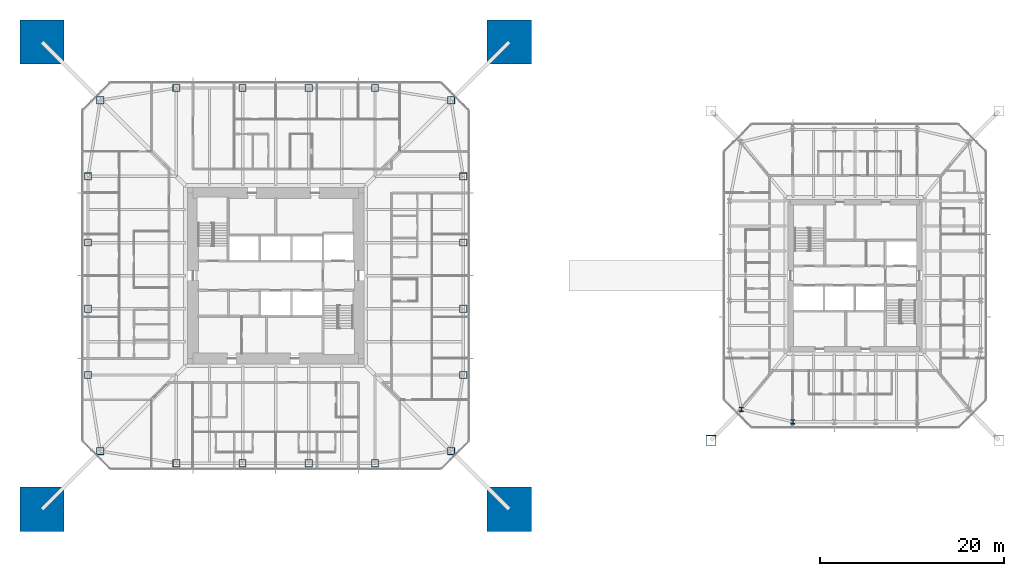
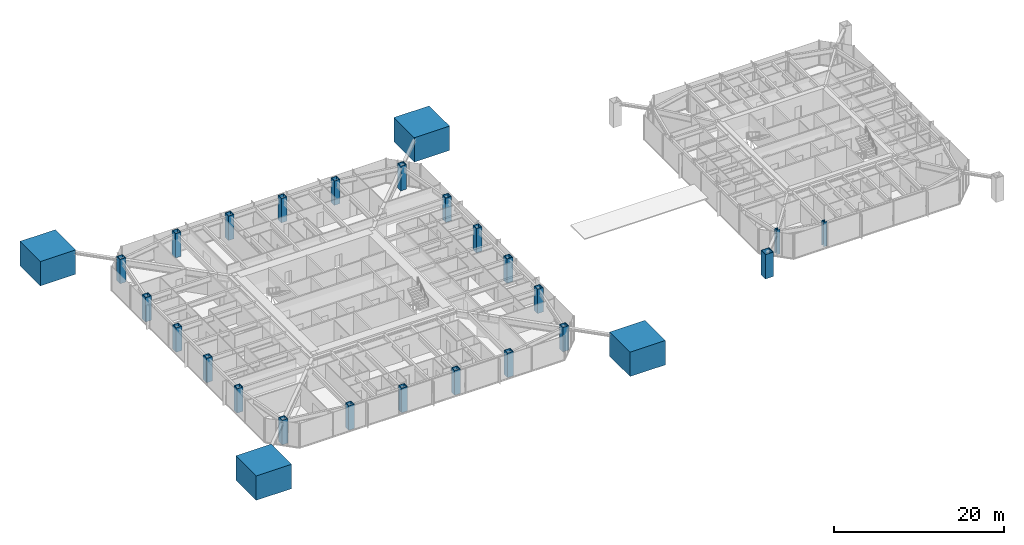
# One storey, part 1 of 25: 27 columns.
"""IFC4 building model written with IfcOpenShell, lengths in metres."""

from ifc_helpers import new_model, si_unit, direction, frame, origin, origin_2d, place, context, subcontext, project, spatial, rectangle, hollow_rectangle, i_section, extrude, material, material_profile, profile_set, type_object, element, save


model = new_model("IFC4")

# Units and contexts
model_context = context("Model", 3, precision=1e-05, world=origin(), true_north=direction((0.0, 1.0)))
body_context = subcontext(model_context, "Body", "Model", "MODEL_VIEW")
ifc_project = project(units=[si_unit("LENGTHUNIT", "METRE"), si_unit("AREAUNIT", "SQUARE_METRE"), si_unit("VOLUMEUNIT", "CUBIC_METRE"), si_unit("PLANEANGLEUNIT", "RADIAN"), si_unit("MASSUNIT", "GRAM", prefix="KILO")], contexts=[model_context])

# Site, building, storey
site_placement = place(None, origin())
site = spatial("IfcSite", under=ifc_project, at=site_placement, CompositionType="ELEMENT")
building_placement = place(site_placement, origin())
building = spatial("IfcBuilding", under=site, at=building_placement, Name="Iwan Alto Co-Living Towers", CompositionType="ELEMENT")
storey_placement = place(building_placement, frame((0.0, 0.0, 101.5)))
storey = spatial("IfcBuildingStorey", under=building, at=storey_placement, Name="L27", CompositionType="ELEMENT", Elevation=101.5)

# Columns
ifc_material_1 = material(Name="Concrete f'c 70 MPa", Category="concrete")
ifc_material_profile_1 = material_profile(ifc_material_1, rectangle(XDim=4.800048828125, YDim=4.800048828125, at=origin_2d()), Name="RC 4800X4800")
ifc_profile_set_1 = profile_set([ifc_material_profile_1], Name="Concrete f'c 70 MPa")
column_type_1 = type_object("IfcColumnType", Name="T1 MEGA COLUMN RC 4800X4800", PredefinedType="COLUMN", material=ifc_profile_set_1)
for number, where, z_axis, x_axis, name in (
    (1, (-25.39990234375, -25.39990234375, 0.0), (0.0, 0.0, 1.0), (1.0, 0.0, 0.0), "T1 mega column SW L27"),
    (2, (25.39990234375, -25.39990234375, 0.0), (0.0, 0.0, 1.0), (1.0, 0.0, 0.0), "T1 mega column SE L27"),
    (3, (25.39990234375, 25.39990234375, 0.0), (0.0, 0.0, 1.0), (1.0, 0.0, 0.0), "T1 mega column NE L27"),
    (4, (-25.39990234375, 25.39990234375, 0.0), (0.0, 0.0, 1.0), (1.0, 0.0, 0.0), "T1 mega column NW L27"),
):
    element("IfcColumn", number, at=place(storey_placement, frame(where, z_axis=z_axis, x_axis=x_axis)), inside=storey, type_object=column_type_1, Name=name, PredefinedType="COLUMN", context=body_context, shape_type="SweptSolid", body=[
        extrude(rectangle(XDim=4.800048828125, YDim=4.800048828125, at=origin_2d()), origin(), (0.0, 0.0, 1.0), 3.5),
        extrude(i_section(OverallWidth=0.4775390625, OverallDepth=0.599365234375, WebThickness=0.10009765625, FlangeThickness=0.139892578125, at=origin_2d()), origin(), (0.0, 0.0, 1.0), 3.5),
    ])
ifc_material_2 = material(Name="Steel ASTM A572 Gr 50", Category="steel")
ifc_material_profile_2 = material_profile(ifc_material_2, hollow_rectangle(XDim=0.800048828125, YDim=0.800048828125, WallThickness=0.070068359375, at=origin_2d()), Name="BOX 800X800X70")
ifc_profile_set_2 = profile_set([ifc_material_profile_2], Name="Steel ASTM A572 Gr 50")
column_type_2 = type_object("IfcColumnType", Name="T1 RING COLUMN BOX 800X800X70", PredefinedType="COLUMN", material=ifc_profile_set_2)
for number, where, z_axis, x_axis, name in (
    (5, (-19.07568359375, -19.07568359375, 0.0), (0.0, 0.0, 1.0), (1.0, 0.0, 0.0), "T1 ring column CSW L27"),
    (6, (-10.800048828125, -20.39990234375, 0.0), (0.0, 0.0, 1.0), (1.0, 0.0, 0.0), "T1 ring column S1 L27"),
    (7, (-3.60009765625, -20.39990234375, 0.0), (0.0, 0.0, 1.0), (1.0, 0.0, 0.0), "T1 ring column S2 L27"),
    (8, (3.60009765625, -20.39990234375, 0.0), (0.0, 0.0, 1.0), (1.0, 0.0, 0.0), "T1 ring column S3 L27"),
    (9, (10.800048828125, -20.39990234375, 0.0), (0.0, 0.0, 1.0), (1.0, 0.0, 0.0), "T1 ring column S4 L27"),
    (10, (19.07568359375, -19.07568359375, 0.0), (0.0, 0.0, 1.0), (1.0, 0.0, 0.0), "T1 ring column CSE L27"),
    (11, (20.39990234375, -10.800048828125, 0.0), (0.0, 0.0, 1.0), (1.0, 0.0, 0.0), "T1 ring column E1 L27"),
    (12, (20.39990234375, -3.60009765625, 0.0), (0.0, 0.0, 1.0), (1.0, 0.0, 0.0), "T1 ring column E2 L27"),
    (13, (20.39990234375, 3.60009765625, 0.0), (0.0, 0.0, 1.0), (1.0, 0.0, 0.0), "T1 ring column E3 L27"),
    (14, (20.39990234375, 10.800048828125, 0.0), (0.0, 0.0, 1.0), (1.0, 0.0, 0.0), "T1 ring column E4 L27"),
    (15, (19.07568359375, 19.07568359375, 0.0), (0.0, 0.0, 1.0), (1.0, 0.0, 0.0), "T1 ring column CNE L27"),
    (16, (10.800048828125, 20.39990234375, 0.0), (0.0, 0.0, 1.0), (1.0, 0.0, 0.0), "T1 ring column N1 L27"),
    (17, (3.60009765625, 20.39990234375, 0.0), (0.0, 0.0, 1.0), (1.0, 0.0, 0.0), "T1 ring column N2 L27"),
    (18, (-3.60009765625, 20.39990234375, 0.0), (0.0, 0.0, 1.0), (1.0, 0.0, 0.0), "T1 ring column N3 L27"),
    (19, (-10.800048828125, 20.39990234375, 0.0), (0.0, 0.0, 1.0), (1.0, 0.0, 0.0), "T1 ring column N4 L27"),
    (20, (-19.07568359375, 19.07568359375, 0.0), (0.0, 0.0, 1.0), (1.0, 0.0, 0.0), "T1 ring column CNW L27"),
    (21, (-20.39990234375, 10.800048828125, 0.0), (0.0, 0.0, 1.0), (1.0, 0.0, 0.0), "T1 ring column W1 L27"),
    (22, (-20.39990234375, 3.60009765625, 0.0), (0.0, 0.0, 1.0), (1.0, 0.0, 0.0), "T1 ring column W2 L27"),
    (23, (-20.39990234375, -3.60009765625, 0.0), (0.0, 0.0, 1.0), (1.0, 0.0, 0.0), "T1 ring column W3 L27"),
    (24, (-20.39990234375, -10.800048828125, 0.0), (0.0, 0.0, 1.0), (1.0, 0.0, 0.0), "T1 ring column W4 L27"),
):
    element("IfcColumn", number, at=place(storey_placement, frame(where, z_axis=z_axis, x_axis=x_axis)), inside=storey, type_object=column_type_2, Name=name, PredefinedType="COLUMN", context=body_context, shape_type="SweptSolid", body=[
        extrude(hollow_rectangle(XDim=0.800048828125, YDim=0.800048828125, WallThickness=0.070068359375, at=origin_2d()), origin(), (0.0, 0.0, 1.0), 3.5),
    ])
ifc_material_3 = material(Name="Steel ASTM A572 Gr 50", Category="steel")
ifc_material_profile_3 = material_profile(ifc_material_3, hollow_rectangle(XDim=1.10009765625, YDim=1.10009765625, WallThickness=0.06005859375, at=origin_2d()), Name="BOX 1100X1100X60")
ifc_profile_set_3 = profile_set([ifc_material_profile_3], Name="Steel ASTM A572 Gr 50")
column_type_3 = type_object("IfcColumnType", Name="T2 MEGA COLUMN BOX 1100X1100X60", PredefinedType="COLUMN", material=ifc_profile_set_3)
column_placement = place(storey_placement, frame((47.35009765625, -17.89990234375, 0.0), z_axis=(0.0, 0.0, 1.0), x_axis=(1.0, 0.0, 0.0)))
element("IfcColumn", 25, at=column_placement, inside=storey, type_object=column_type_3, Name="T2 mega column SW L27", PredefinedType="COLUMN", context=body_context, shape_type="SweptSolid", body=[
    extrude(hollow_rectangle(XDim=1.10009765625, YDim=1.10009765625, WallThickness=0.06005859375, at=origin_2d()), origin(), (0.0, 0.0, 1.0), 3.5),
])
ifc_material_4 = material(Name="Steel ASTM A992 Gr 50", Category="steel")
ifc_material_profile_4 = material_profile(ifc_material_4, i_section(OverallWidth=0.4267578125, OverallDepth=0.482666015625, WebThickness=0.05126953125, FlangeThickness=0.08154296875, at=origin_2d()), Name="W14X455")
ifc_profile_set_4 = profile_set([ifc_material_profile_4], Name="Steel ASTM A992 Gr 50")
column_type_4 = type_object("IfcColumnType", Name="T2 RING COLUMN W14X455", PredefinedType="COLUMN", material=ifc_profile_set_4)
for number, where, z_axis, x_axis, name in (
    (26, (50.638671875, -14.542724609375, 0.0), (0.0, 0.0, 1.0), (1.0, 0.0, 0.0), "T2 ring column CSW L27"),
    (27, (56.25, -15.89990234375, 0.0), (0.0, 0.0, 1.0), (1.0, 0.0, 0.0), "T2 ring column S1 L27"),
):
    element("IfcColumn", number, at=place(storey_placement, frame(where, z_axis=z_axis, x_axis=x_axis)), inside=storey, type_object=column_type_4, Name=name, PredefinedType="COLUMN", context=body_context, shape_type="SweptSolid", body=[
        extrude(i_section(OverallWidth=0.4267578125, OverallDepth=0.482666015625, WebThickness=0.05126953125, FlangeThickness=0.08154296875, at=origin_2d()), origin(), (0.0, 0.0, 1.0), 3.5),
    ])

save(model, "model.ifc")
